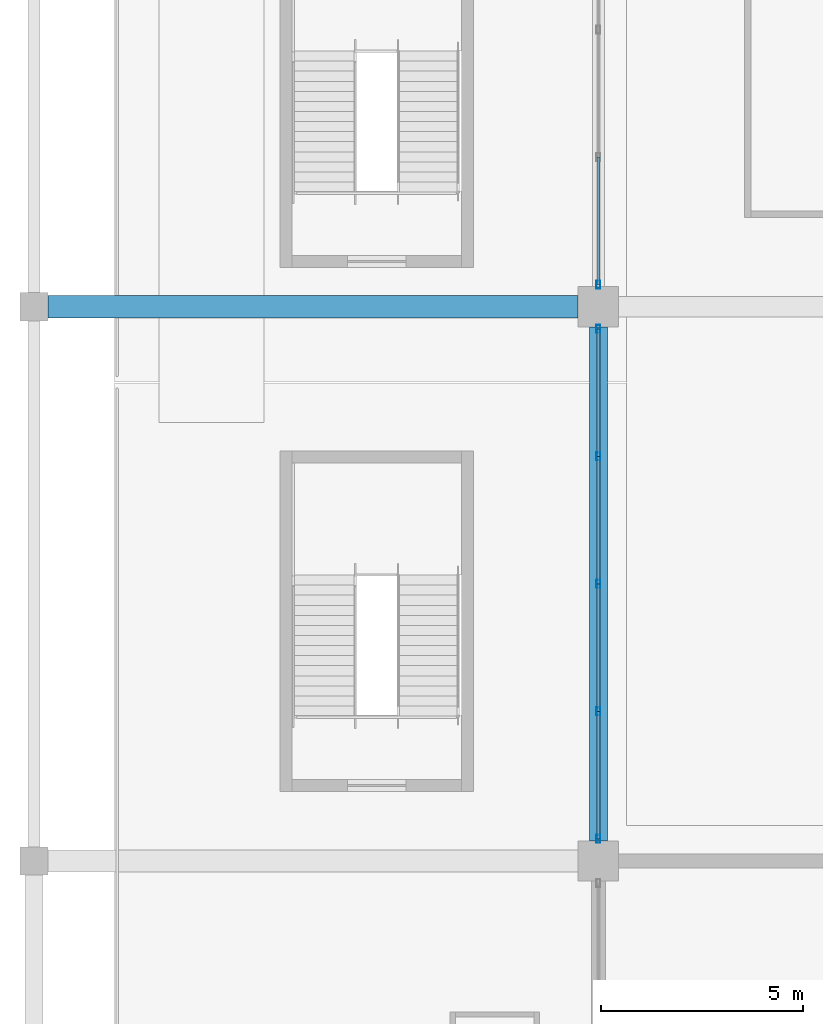
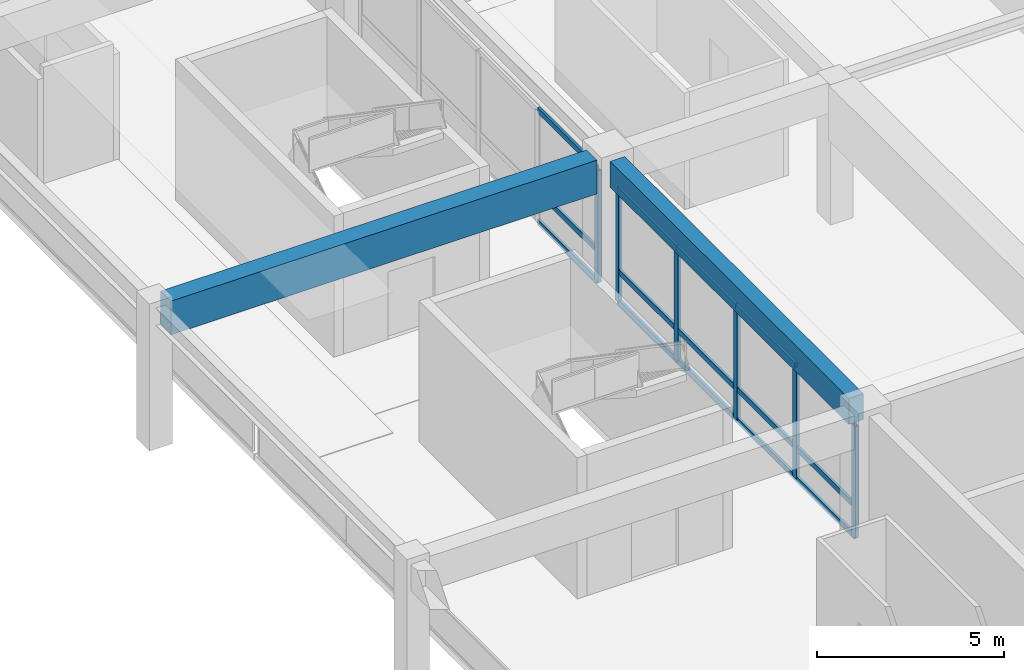
# One storey, part 25 of 94: 21 members, 2 beams, 2 elements without a shape of their own.
"""IFC4 building model written with IfcOpenShell, lengths in metres."""

from ifc_helpers import new_model, si_unit, direction, frame, origin, origin_2d, place, context, subcontext, project, spatial, rectangle, hollow_rectangle, extrude, material, material_profile, profile_set, type_object, element, aggregate, save


model = new_model("IFC4")

# Units and contexts
model_context = context("Model", 3, precision=1e-05, world=origin(), true_north=direction((0.0, 1.0)))
body_context = subcontext(model_context, "Body", "Model", "MODEL_VIEW")
ifc_project = project(units=[si_unit("LENGTHUNIT", "METRE"), si_unit("AREAUNIT", "SQUARE_METRE"), si_unit("VOLUMEUNIT", "CUBIC_METRE"), si_unit("PLANEANGLEUNIT", "RADIAN"), si_unit("MASSUNIT", "GRAM", prefix="KILO")], contexts=[model_context])

# Site, building, storey
site_placement = place(None, origin())
site = spatial("IfcSite", under=ifc_project, at=site_placement, CompositionType="ELEMENT")
building_placement = place(site_placement, origin())
building = spatial("IfcBuilding", under=site, at=building_placement, Name="Linyun Crest Stadium", CompositionType="ELEMENT")
storey_placement = place(building_placement, frame((0.0, 0.0, 16.199951171875)))
storey = spatial("IfcBuildingStorey", under=building, at=storey_placement, Name="L04", CompositionType="ELEMENT", Elevation=16.199951171875)

# Beam
ifc_material_1 = material(Name="Concrete C40", Category="concrete")
ifc_material_profile_1 = material_profile(ifc_material_1, rectangle(XDim=0.449951171875, YDim=0.85009765625, at=origin_2d()), Name="RCB 850x450")
ifc_profile_set_1 = profile_set([ifc_material_profile_1], Name="Concrete C40")
beam_type_1 = type_object("IfcBeamType", Name="B04", PredefinedType="BEAM", material=ifc_profile_set_1)
beam_1_placement = place(storey_placement, frame((-84.0, -24.875, 4.175048828125), z_axis=(0.0, 1.0, 0.0), x_axis=(-1.0, 0.0, 0.0)))
element("IfcBeam", 1, at=beam_1_placement, inside=storey, type_object=beam_type_1, Name="Frame beam B04 L04 328", PredefinedType="BEAM", context=body_context, shape_type="SweptSolid", body=[
    extrude(rectangle(XDim=0.449951171875, YDim=0.85009765625, at=origin_2d()), origin(), (0.0, 0.0, 1.0), 12.75),
])

# Curtain wall, members
ifc_material_2 = material(Name="Verdigris steel and low-E curtain wall assembly", Category="steel")
curtain_wall_type = type_object("IfcCurtainWallType", Name="MCW06", PredefinedType="NOTDEFINED", material=ifc_material_2)
curtain_wall_1_placement = place(storey_placement, origin())
curtain_wall_1 = element("IfcCurtainWall", 2, at=curtain_wall_1_placement, inside=storey, type_object=curtain_wall_type, Name="CWR-084", PredefinedType="NOTDEFINED")
ifc_material_3 = material(Name="Verdigris painted steel Q355C mullion", Category="steel")
ifc_material_profile_2 = material_profile(ifc_material_3, hollow_rectangle(XDim=0.10009765625, YDim=0.199951171875, WallThickness=0.008056640625, at=origin_2d()), Name="RHS 200x100x8")
ifc_profile_set_2 = profile_set([ifc_material_profile_2], Name="Verdigris painted steel Q355C mullion")
member_type_1 = type_object("IfcMemberType", Name="ML03", PredefinedType="MULLION", material=ifc_profile_set_2)
member_1_placement = place(storey_placement, frame((-84.0, -24.824951171875, 0.0), z_axis=(0.0, 0.0, 1.0), x_axis=(-1.0, 0.0, 0.0)))
member_1 = element("IfcMember", 3, at=member_1_placement, type_object=member_type_1, Name="CWR-084 mullion 1", PredefinedType="MULLION", context=body_context, shape_type="SweptSolid", body=[
    extrude(hollow_rectangle(XDim=0.10009765625, YDim=0.199951171875, WallThickness=0.008056640625, at=origin_2d()), origin(), (0.0, 0.0, 1.0), 3.650146484375),
])
member_2_placement = place(storey_placement, frame((-84.0, -21.662109375, 0.0), z_axis=(0.0, 0.0, 1.0), x_axis=(-1.0, 0.0, 0.0)))
member_2 = element("IfcMember", 4, at=member_2_placement, type_object=member_type_1, Name="CWR-084 mullion 2", PredefinedType="MULLION", context=body_context, shape_type="SweptSolid", body=[
    extrude(hollow_rectangle(XDim=0.10009765625, YDim=0.199951171875, WallThickness=0.008056640625, at=origin_2d()), origin(), (0.0, 0.0, 1.0), 3.650146484375),
])
member_3_placement = place(storey_placement, frame((-84.0, -18.5, 0.0), z_axis=(0.0, 0.0, 1.0), x_axis=(-1.0, 0.0, 0.0)))
member_3 = element("IfcMember", 5, at=member_3_placement, type_object=member_type_1, Name="CWR-084 mullion 3", PredefinedType="MULLION", context=body_context, shape_type="SweptSolid", body=[
    extrude(hollow_rectangle(XDim=0.10009765625, YDim=0.199951171875, WallThickness=0.008056640625, at=origin_2d()), origin(), (0.0, 0.0, 1.0), 3.650146484375),
])
member_4_placement = place(storey_placement, frame((-84.0, -15.337890625, 0.0), z_axis=(0.0, 0.0, 1.0), x_axis=(-1.0, 0.0, 0.0)))
member_4 = element("IfcMember", 6, at=member_4_placement, type_object=member_type_1, Name="CWR-084 mullion 4", PredefinedType="MULLION", context=body_context, shape_type="SweptSolid", body=[
    extrude(hollow_rectangle(XDim=0.10009765625, YDim=0.199951171875, WallThickness=0.008056640625, at=origin_2d()), origin(), (0.0, 0.0, 1.0), 3.650146484375),
])
member_5_placement = place(storey_placement, frame((-84.0, -12.175048828125, 0.0), z_axis=(0.0, 0.0, 1.0), x_axis=(-1.0, 0.0, 0.0)))
member_5 = element("IfcMember", 7, at=member_5_placement, type_object=member_type_1, Name="CWR-084 mullion 5", PredefinedType="MULLION", context=body_context, shape_type="SweptSolid", body=[
    extrude(hollow_rectangle(XDim=0.10009765625, YDim=0.199951171875, WallThickness=0.008056640625, at=origin_2d()), origin(), (0.0, 0.0, 1.0), 3.650146484375),
])

# Curtain wall, member
curtain_wall_2_placement = place(storey_placement, origin())
curtain_wall_2 = element("IfcCurtainWall", 8, at=curtain_wall_2_placement, inside=storey, type_object=curtain_wall_type, Name="CWR-093", PredefinedType="NOTDEFINED")
member_6_placement = place(storey_placement, frame((-84.0, -11.074951171875, 0.0), z_axis=(0.0, 0.0, 1.0), x_axis=(-1.0, 0.0, 0.0)))
member_6 = element("IfcMember", 9, at=member_6_placement, type_object=member_type_1, Name="CWR-093 mullion 1", PredefinedType="MULLION", context=body_context, shape_type="SweptSolid", body=[
    extrude(hollow_rectangle(XDim=0.10009765625, YDim=0.199951171875, WallThickness=0.008056640625, at=origin_2d()), origin(), (0.0, 0.0, 1.0), 3.650146484375),
])

# Beam
ifc_material_4 = material(Name="Concrete C50", Category="concrete")
ifc_material_profile_3 = material_profile(ifc_material_4, rectangle(XDim=0.550048828125, YDim=1.10009765625, at=origin_2d()), Name="RCB 1100x550")
ifc_profile_set_3 = profile_set([ifc_material_profile_3], Name="Concrete C50")
beam_type_2 = type_object("IfcBeamType", Name="TB01", PredefinedType="USERDEFINED", material=ifc_profile_set_3)
beam_2_placement = place(storey_placement, frame((-97.64990234375, -11.625, 4.050048828125), z_axis=(1.0, 0.0, 0.0), x_axis=(0.0, 1.0, 0.0)))
element("IfcBeam", 10, at=beam_2_placement, inside=storey, type_object=beam_type_2, Name="Frame beam TB01 L04 306", ObjectType="GIRDER", PredefinedType="USERDEFINED", context=body_context, shape_type="SweptSolid", body=[
    extrude(rectangle(XDim=0.550048828125, YDim=1.10009765625, at=origin_2d()), origin(), (0.0, 0.0, 1.0), 13.14990234375),
])

# Member
ifc_material_5 = material(Name="Verdigris painted steel Q355B transom", Category="steel")
ifc_material_profile_4 = material_profile(ifc_material_5, hollow_rectangle(XDim=0.080078125, YDim=0.179931640625, WallThickness=0.006103515625, at=origin_2d()), Name="RHS 180x80x6")
ifc_profile_set_4 = profile_set([ifc_material_profile_4], Name="Verdigris painted steel Q355B transom")
member_type_2 = type_object("IfcMemberType", Name="TR02", PredefinedType="USERDEFINED", material=ifc_profile_set_4)
member_7_placement = place(storey_placement, frame((-84.0, -24.824951171875, 0.0), z_axis=(0.0, 1.0, 0.0), x_axis=(-1.0, 0.0, 0.0)))
member_7 = element("IfcMember", 11, at=member_7_placement, type_object=member_type_2, Name="CWR-084 transom 1.1", ObjectType="TRANSOM", PredefinedType="USERDEFINED", context=body_context, shape_type="SweptSolid", body=[
    extrude(hollow_rectangle(XDim=0.080078125, YDim=0.179931640625, WallThickness=0.006103515625, at=origin_2d()), origin(), (0.0, 0.0, 1.0), 3.162841796875),
])

member_8_placement = place(storey_placement, frame((-84.0, -24.824951171875, 1.0), z_axis=(0.0, 1.0, 0.0), x_axis=(-1.0, 0.0, 0.0)))
member_8 = element("IfcMember", 12, at=member_8_placement, type_object=member_type_2, Name="CWR-084 transom 1.2", ObjectType="TRANSOM", PredefinedType="USERDEFINED", context=body_context, shape_type="SweptSolid", body=[
    extrude(hollow_rectangle(XDim=0.080078125, YDim=0.179931640625, WallThickness=0.006103515625, at=origin_2d()), origin(), (0.0, 0.0, 1.0), 3.162841796875),
])

member_9_placement = place(storey_placement, frame((-84.0, -24.824951171875, 3.650146484375), z_axis=(0.0, 1.0, 0.0), x_axis=(-1.0, 0.0, 0.0)))
member_9 = element("IfcMember", 13, at=member_9_placement, type_object=member_type_2, Name="CWR-084 transom 1.3", ObjectType="TRANSOM", PredefinedType="USERDEFINED", context=body_context, shape_type="SweptSolid", body=[
    extrude(hollow_rectangle(XDim=0.080078125, YDim=0.179931640625, WallThickness=0.006103515625, at=origin_2d()), origin(), (0.0, 0.0, 1.0), 3.162841796875),
])

member_10_placement = place(storey_placement, frame((-84.0, -21.662109375, 0.0), z_axis=(0.0, 1.0, 0.0), x_axis=(-1.0, 0.0, 0.0)))
member_10 = element("IfcMember", 14, at=member_10_placement, type_object=member_type_2, Name="CWR-084 transom 2.1", ObjectType="TRANSOM", PredefinedType="USERDEFINED", context=body_context, shape_type="SweptSolid", body=[
    extrude(hollow_rectangle(XDim=0.080078125, YDim=0.179931640625, WallThickness=0.006103515625, at=origin_2d()), origin(), (0.0, 0.0, 1.0), 3.162109375),
])

member_11_placement = place(storey_placement, frame((-84.0, -21.662109375, 1.0), z_axis=(0.0, 1.0, 0.0), x_axis=(-1.0, 0.0, 0.0)))
member_11 = element("IfcMember", 15, at=member_11_placement, type_object=member_type_2, Name="CWR-084 transom 2.2", ObjectType="TRANSOM", PredefinedType="USERDEFINED", context=body_context, shape_type="SweptSolid", body=[
    extrude(hollow_rectangle(XDim=0.080078125, YDim=0.179931640625, WallThickness=0.006103515625, at=origin_2d()), origin(), (0.0, 0.0, 1.0), 3.162109375),
])

member_12_placement = place(storey_placement, frame((-84.0, -21.662109375, 3.650146484375), z_axis=(0.0, 1.0, 0.0), x_axis=(-1.0, 0.0, 0.0)))
member_12 = element("IfcMember", 16, at=member_12_placement, type_object=member_type_2, Name="CWR-084 transom 2.3", ObjectType="TRANSOM", PredefinedType="USERDEFINED", context=body_context, shape_type="SweptSolid", body=[
    extrude(hollow_rectangle(XDim=0.080078125, YDim=0.179931640625, WallThickness=0.006103515625, at=origin_2d()), origin(), (0.0, 0.0, 1.0), 3.162109375),
])

member_13_placement = place(storey_placement, frame((-84.0, -18.5, 0.0), z_axis=(0.0, 1.0, 0.0), x_axis=(-1.0, 0.0, 0.0)))
member_13 = element("IfcMember", 17, at=member_13_placement, type_object=member_type_2, Name="CWR-084 transom 3.1", ObjectType="TRANSOM", PredefinedType="USERDEFINED", context=body_context, shape_type="SweptSolid", body=[
    extrude(hollow_rectangle(XDim=0.080078125, YDim=0.179931640625, WallThickness=0.006103515625, at=origin_2d()), origin(), (0.0, 0.0, 1.0), 3.162109375),
])

member_14_placement = place(storey_placement, frame((-84.0, -18.5, 1.0), z_axis=(0.0, 1.0, 0.0), x_axis=(-1.0, 0.0, 0.0)))
member_14 = element("IfcMember", 18, at=member_14_placement, type_object=member_type_2, Name="CWR-084 transom 3.2", ObjectType="TRANSOM", PredefinedType="USERDEFINED", context=body_context, shape_type="SweptSolid", body=[
    extrude(hollow_rectangle(XDim=0.080078125, YDim=0.179931640625, WallThickness=0.006103515625, at=origin_2d()), origin(), (0.0, 0.0, 1.0), 3.162109375),
])

member_15_placement = place(storey_placement, frame((-84.0, -18.5, 3.650146484375), z_axis=(0.0, 1.0, 0.0), x_axis=(-1.0, 0.0, 0.0)))
member_15 = element("IfcMember", 19, at=member_15_placement, type_object=member_type_2, Name="CWR-084 transom 3.3", ObjectType="TRANSOM", PredefinedType="USERDEFINED", context=body_context, shape_type="SweptSolid", body=[
    extrude(hollow_rectangle(XDim=0.080078125, YDim=0.179931640625, WallThickness=0.006103515625, at=origin_2d()), origin(), (0.0, 0.0, 1.0), 3.162109375),
])

member_16_placement = place(storey_placement, frame((-84.0, -15.337890625, 0.0), z_axis=(0.0, 1.0, 0.0), x_axis=(-1.0, 0.0, 0.0)))
member_16 = element("IfcMember", 20, at=member_16_placement, type_object=member_type_2, Name="CWR-084 transom 4.1", ObjectType="TRANSOM", PredefinedType="USERDEFINED", context=body_context, shape_type="SweptSolid", body=[
    extrude(hollow_rectangle(XDim=0.080078125, YDim=0.179931640625, WallThickness=0.006103515625, at=origin_2d()), origin(), (0.0, 0.0, 1.0), 3.162841796875),
])

member_17_placement = place(storey_placement, frame((-84.0, -15.337890625, 1.0), z_axis=(0.0, 1.0, 0.0), x_axis=(-1.0, 0.0, 0.0)))
member_17 = element("IfcMember", 21, at=member_17_placement, type_object=member_type_2, Name="CWR-084 transom 4.2", ObjectType="TRANSOM", PredefinedType="USERDEFINED", context=body_context, shape_type="SweptSolid", body=[
    extrude(hollow_rectangle(XDim=0.080078125, YDim=0.179931640625, WallThickness=0.006103515625, at=origin_2d()), origin(), (0.0, 0.0, 1.0), 3.162841796875),
])

member_18_placement = place(storey_placement, frame((-84.0, -15.337890625, 3.650146484375), z_axis=(0.0, 1.0, 0.0), x_axis=(-1.0, 0.0, 0.0)))
member_18 = element("IfcMember", 22, at=member_18_placement, type_object=member_type_2, Name="CWR-084 transom 4.3", ObjectType="TRANSOM", PredefinedType="USERDEFINED", context=body_context, shape_type="SweptSolid", body=[
    extrude(hollow_rectangle(XDim=0.080078125, YDim=0.179931640625, WallThickness=0.006103515625, at=origin_2d()), origin(), (0.0, 0.0, 1.0), 3.162841796875),
])

aggregate(curtain_wall_1, [member_1, member_2, member_3, member_4, member_5, member_7, member_8, member_9, member_10, member_11, member_12, member_13, member_14, member_15, member_16, member_17, member_18])

member_19_placement = place(storey_placement, frame((-84.0, -11.074951171875, 0.0), z_axis=(0.0, 1.0, 0.0), x_axis=(-1.0, 0.0, 0.0)))
member_19 = element("IfcMember", 23, at=member_19_placement, type_object=member_type_2, Name="CWR-093 transom 1.1", ObjectType="TRANSOM", PredefinedType="USERDEFINED", context=body_context, shape_type="SweptSolid", body=[
    extrude(hollow_rectangle(XDim=0.080078125, YDim=0.179931640625, WallThickness=0.006103515625, at=origin_2d()), origin(), (0.0, 0.0, 1.0), 3.162841796875),
])

member_20_placement = place(storey_placement, frame((-84.0, -11.074951171875, 1.0), z_axis=(0.0, 1.0, 0.0), x_axis=(-1.0, 0.0, 0.0)))
member_20 = element("IfcMember", 24, at=member_20_placement, type_object=member_type_2, Name="CWR-093 transom 1.2", ObjectType="TRANSOM", PredefinedType="USERDEFINED", context=body_context, shape_type="SweptSolid", body=[
    extrude(hollow_rectangle(XDim=0.080078125, YDim=0.179931640625, WallThickness=0.006103515625, at=origin_2d()), origin(), (0.0, 0.0, 1.0), 3.162841796875),
])

member_21_placement = place(storey_placement, frame((-84.0, -11.074951171875, 3.650146484375), z_axis=(0.0, 1.0, 0.0), x_axis=(-1.0, 0.0, 0.0)))
member_21 = element("IfcMember", 25, at=member_21_placement, type_object=member_type_2, Name="CWR-093 transom 1.3", ObjectType="TRANSOM", PredefinedType="USERDEFINED", context=body_context, shape_type="SweptSolid", body=[
    extrude(hollow_rectangle(XDim=0.080078125, YDim=0.179931640625, WallThickness=0.006103515625, at=origin_2d()), origin(), (0.0, 0.0, 1.0), 3.162841796875),
])

aggregate(curtain_wall_2, [member_6, member_19, member_20, member_21])

save(model, "model.ifc")
